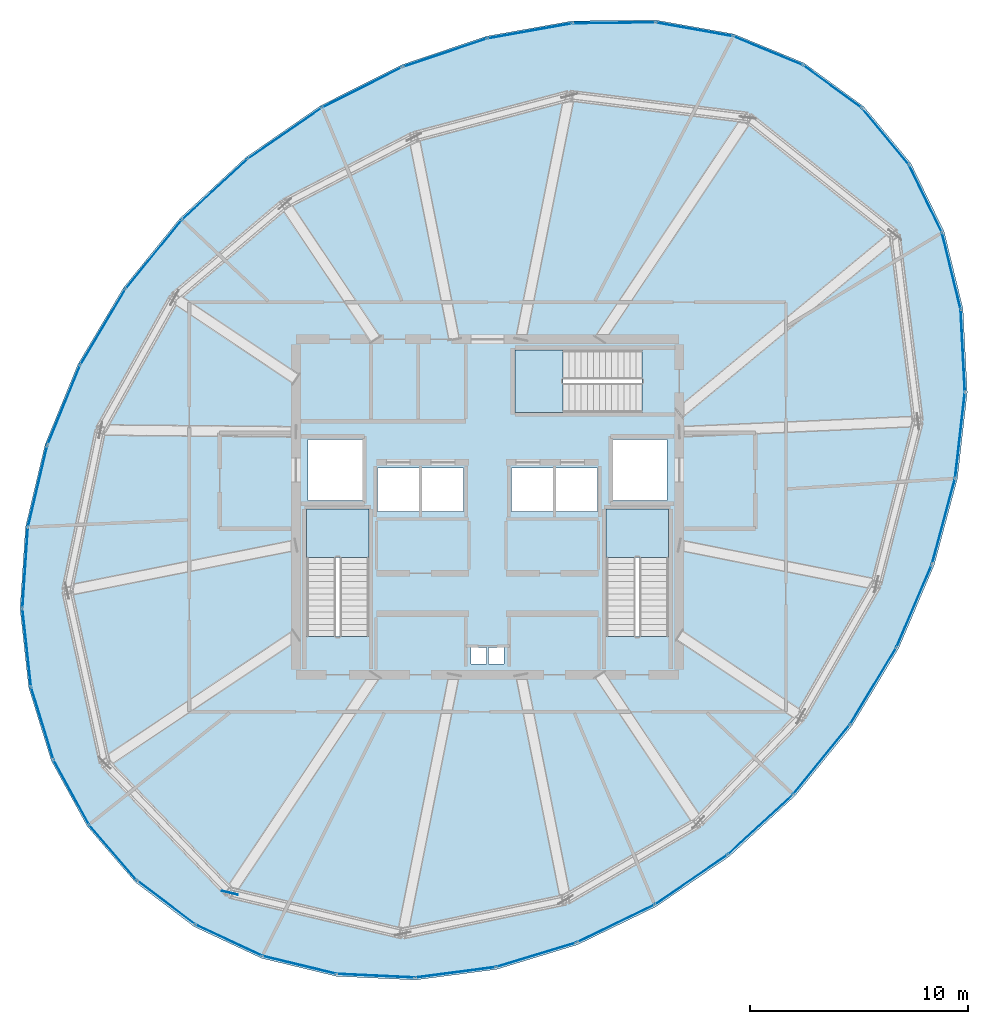
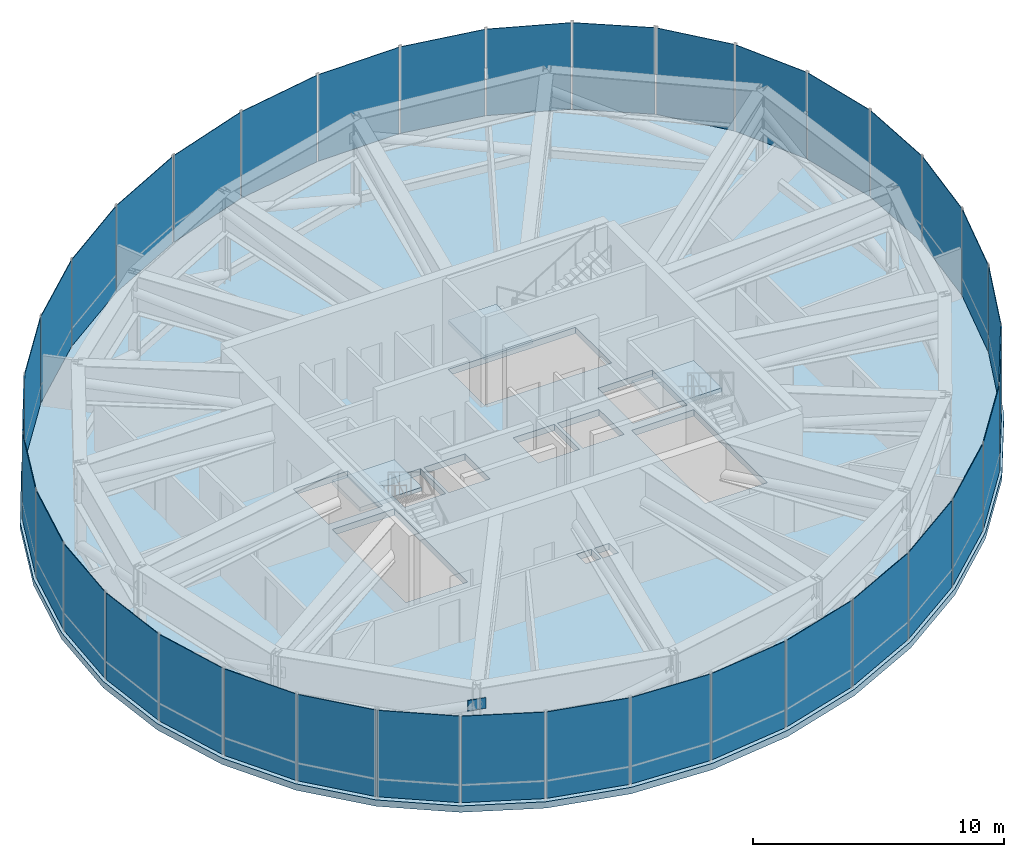
# One storey, part 22 of 26: 37 plates, 4 slabs, 9 elements without a shape of their own.
"""IFC4 building model written with IfcOpenShell, lengths in metres."""

from ifc_helpers import new_model, si_unit, direction, frame, origin, origin_2d, place, context, subcontext, project, spatial, polyline, rectangle, outline, extrude, source, transform, mapped, material, layer, layer_set, type_object, element, aggregate, save


model = new_model("IFC4")

# Units and contexts
model_context = context("Model", 3, precision=1e-05, world=origin(), true_north=direction((0.0, 1.0)))
body_context = subcontext(model_context, "Body", "Model", "MODEL_VIEW")
ifc_project = project(units=[si_unit("LENGTHUNIT", "METRE"), si_unit("AREAUNIT", "SQUARE_METRE"), si_unit("VOLUMEUNIT", "CUBIC_METRE"), si_unit("PLANEANGLEUNIT", "RADIAN"), si_unit("MASSUNIT", "GRAM", prefix="KILO"), si_unit("THERMODYNAMICTEMPERATUREUNIT", "KELVIN")], contexts=[model_context])

# Site, building, storey
site_placement = place(None, origin())
site = spatial("IfcSite", under=ifc_project, at=site_placement, CompositionType="ELEMENT")
building_placement = place(site_placement, origin())
building = spatial("IfcBuilding", under=site, at=building_placement, Name="Kethvar Cultural Tower", CompositionType="ELEMENT")
storey_placement = place(building_placement, frame((0.0, 0.0, 223.60009765625)))
storey = spatial("IfcBuildingStorey", under=building, at=storey_placement, Name="L58", CompositionType="ELEMENT", Elevation=223.60009765625)

# Slab
ifc_material_1 = material(Name="Concrete C50/60", Category="concrete")
ifc_layer_1 = layer(ifc_material_1, 0.31005859375, Name="Concrete C50/60", Category="concrete")
ifc_layer_set_1 = layer_set([ifc_layer_1], Name="Concrete C50/60 (310 mm)")
slab_type_1 = type_object("IfcSlabType", Name="SL-BELT-310", PredefinedType="FLOOR", material=ifc_layer_set_1)
slab_1_placement = place(storey_placement, frame((0.0, 0.0, -0.31005859375)))
element("IfcSlab", 1, at=slab_1_placement, inside=storey, type_object=slab_type_1, Name="L58 Structural Floor Slab", PredefinedType="FLOOR", context=body_context, shape_type="SweptSolid", body=[
    extrude(outline(polyline([(64.07080078125, 46.191650390625), (61.33203125, 48.188720703125), (58.10791015625, 49.520263671875), (54.512451171875, 50.161865234375), (50.677001953125, 50.117919921875), (46.7431640625, 49.41650390625), (42.852294921875, 48.1025390625), (39.13818359375, 46.231689453125), (35.71630859375, 43.86474609375), (32.67919921875, 41.060302734375), (30.084716796875, 37.867919921875), (27.998291015625, 34.369384765625), (26.483154296875, 30.671142578125), (25.585205078125, 26.8857421875), (25.33203125, 23.12841796875), (25.731201171875, 19.5126953125), (26.770263671875, 16.148681640625), (28.418212890625, 13.138916015625), (30.62451171875, 10.57470703125), (33.322265625, 8.53369140625), (36.429443359375, 7.078125), (39.851806640625, 6.252197265625), (43.485595703125, 6.0810546875), (47.2197265625, 6.56982421875), (50.941162109375, 7.70361328125), (54.536865234375, 9.447998046875), (57.8974609375, 11.75), (60.9208984375, 14.53955078125), (63.52880859375, 17.746826171875), (65.676513671875, 21.310546875), (67.310302734375, 25.135009765625), (68.37744140625, 29.1005859375), (68.83056640625, 33.07080078125), (68.63330078125, 36.9013671875), (67.767333984375, 40.449462890625), (66.236083984375, 43.58349609375), (64.07080078125, 46.191650390625)]), holes=[polyline([(38.489990234375, 21.85009765625), (38.489990234375, 27.699951171875), (41.35009765625, 27.699951171875), (41.35009765625, 21.85009765625), (38.489990234375, 21.85009765625)]), polyline([(52.25, 21.85009765625), (52.25, 27.699951171875), (55.110107421875, 27.699951171875), (55.110107421875, 21.85009765625), (52.25, 21.85009765625)]), polyline([(53.89990234375, 32.14990234375), (48.050048828125, 32.14990234375), (48.050048828125, 35.010009765625), (53.89990234375, 35.010009765625), (53.89990234375, 32.14990234375)]), polyline([(41.75, 29.60009765625), (43.64990234375, 29.60009765625), (43.64990234375, 27.60009765625), (41.75, 27.60009765625), (41.75, 29.60009765625)]), polyline([(43.800048828125, 29.60009765625), (45.699951171875, 29.60009765625), (45.699951171875, 27.60009765625), (43.800048828125, 27.60009765625), (43.800048828125, 29.60009765625)]), polyline([(47.89990234375, 29.60009765625), (49.800048828125, 29.60009765625), (49.800048828125, 27.60009765625), (47.89990234375, 27.60009765625), (47.89990234375, 29.60009765625)]), polyline([(49.949951171875, 29.60009765625), (51.85009765625, 29.60009765625), (51.85009765625, 27.60009765625), (49.949951171875, 27.60009765625), (49.949951171875, 29.60009765625)]), polyline([(38.550048828125, 30.89990234375), (41.050048828125, 30.89990234375), (41.050048828125, 28.10009765625), (38.550048828125, 28.10009765625), (38.550048828125, 30.89990234375)]), polyline([(52.550048828125, 30.89990234375), (55.050048828125, 30.89990234375), (55.050048828125, 28.10009765625), (52.550048828125, 28.10009765625), (52.550048828125, 30.89990234375)]), polyline([(46.050048828125, 21.35009765625), (46.75, 21.35009765625), (46.75, 20.60009765625), (46.050048828125, 20.60009765625), (46.050048828125, 21.35009765625)]), polyline([(46.85009765625, 21.35009765625), (47.550048828125, 21.35009765625), (47.550048828125, 20.60009765625), (46.85009765625, 20.60009765625), (46.85009765625, 21.35009765625)])]), origin(), (0.0, 0.0, 1.0), 0.31005859375),
])

# Stair, slab
ifc_material_2 = material(Name="Concrete C40/50", Category="concrete")
stair_type = type_object("IfcStairType", Name="ST-DOGLEG-135", PredefinedType="HALF_TURN_STAIR", material=ifc_material_2)
stair_1_placement = place(storey_placement, origin())
stair_1 = element("IfcStair", 2, at=stair_1_placement, inside=storey, type_object=stair_type, Name="L58 Core Exit Stair 1", PredefinedType="HALF_TURN_STAIR")
ifc_layer_2 = layer(ifc_material_2, 0.199951171875, Name="Concrete C40/50", Category="concrete")
ifc_layer_set_2 = layer_set([ifc_layer_2], Name="Concrete C40/50 (200 mm)")
slab_type_2 = type_object("IfcSlabType", Name="SL-STAIR-LANDING-200", PredefinedType="LANDING", material=ifc_layer_set_2)
slab_2_placement = place(storey_placement, frame((0.0, 0.0, 2.199951171875)))
slab_2 = element("IfcSlab", 3, at=slab_2_placement, type_object=slab_type_2, Name="ST-01 landing 1", PredefinedType="LANDING", context=body_context, shape_type="SweptSolid", body=[
    extrude(outline(polyline([(41.35009765625, 25.489990234375), (41.35009765625, 27.699951171875), (38.489990234375, 27.699951171875), (38.489990234375, 25.489990234375), (41.35009765625, 25.489990234375)])), origin(), (0.0, 0.0, 1.0), 0.199951171875),
])
aggregate(stair_1, [slab_2])

stair_2_placement = place(storey_placement, origin())
stair_2 = element("IfcStair", 4, at=stair_2_placement, inside=storey, type_object=stair_type, Name="L58 Core Exit Stair 2", PredefinedType="HALF_TURN_STAIR")
slab_3_placement = place(storey_placement, frame((0.0, 0.0, 2.199951171875)))
slab_3 = element("IfcSlab", 5, at=slab_3_placement, type_object=slab_type_2, Name="ST-02 landing 1", PredefinedType="LANDING", context=body_context, shape_type="SweptSolid", body=[
    extrude(outline(polyline([(55.110107421875, 25.489990234375), (55.110107421875, 27.699951171875), (52.25, 27.699951171875), (52.25, 25.489990234375), (55.110107421875, 25.489990234375)])), origin(), (0.0, 0.0, 1.0), 0.199951171875),
])
aggregate(stair_2, [slab_3])

stair_3_placement = place(storey_placement, origin())
stair_3 = element("IfcStair", 6, at=stair_3_placement, inside=storey, type_object=stair_type, Name="L58 Core Exit Stair 3", PredefinedType="HALF_TURN_STAIR")
slab_4_placement = place(storey_placement, frame((0.0, 0.0, 2.199951171875)))
slab_4 = element("IfcSlab", 7, at=slab_4_placement, type_object=slab_type_2, Name="ST-03 landing 1", PredefinedType="LANDING", context=body_context, shape_type="SweptSolid", body=[
    extrude(outline(polyline([(50.260009765625, 35.010009765625), (48.050048828125, 35.010009765625), (48.050048828125, 32.14990234375), (50.260009765625, 32.14990234375), (50.260009765625, 35.010009765625)])), origin(), (0.0, 0.0, 1.0), 0.199951171875),
])
aggregate(stair_3, [slab_4])

# Plate
ifc_material_3 = material(Name="Steel S355J2", Category="steel")
ifc_layer_3 = layer(ifc_material_3, 0.031982421875, Name="Steel S355J2", Category="steel")
ifc_layer_set_3 = layer_set([ifc_layer_3], Name="Steel S355J2 (32 mm)")
plate_type_1 = type_object("IfcPlateType", Name="PL-GUSSET-750", PredefinedType="USERDEFINED", material=ifc_layer_set_3)
shared_shape_1 = source(origin(), body_context, "Body", "SweptSolid", [
    extrude(rectangle(XDim=0.75, YDim=0.031982421875, at=origin_2d()), origin(), (0.0, 0.0, 1.0), 0.52001953125),
])
plate_1_placement = place(storey_placement, frame((34.962646484375, 10.084228515625, 3.16796875), z_axis=(0.0, 0.0, 1.0), x_axis=(0.973281007528, -0.229617247578, 0.0)))
element("IfcPlate", 8, at=plate_1_placement, inside=storey, type_object=plate_type_1, Name="L58 Belt-Truss Node Gusset Plate GP-11", ObjectType="GUSSET_PLATE", PredefinedType="USERDEFINED", context=body_context, shape_type="MappedRepresentation", body=[
    mapped(shared_shape_1, transform((0.0, 0.0, 0.0), scale=1.0)),
])

# Curtain wall, plates
ifc_material_4 = material(Name="Aluminium 6063-T6", Category="aluminium")
ifc_layer_4 = layer(ifc_material_4, 0.179931640625, Name="Aluminium 6063-T6", Category="aluminium")
ifc_layer_set_4 = layer_set([ifc_layer_4], Name="Aluminium 6063-T6 (180 mm)")
curtain_wall_type = type_object("IfcCurtainWallType", Name="CW-SYS-04-Z34", PredefinedType="NOTDEFINED", material=ifc_layer_set_4)
curtain_wall_1_placement = place(storey_placement, origin())
curtain_wall_1 = element("IfcCurtainWall", 9, at=curtain_wall_1_placement, inside=storey, type_object=curtain_wall_type, Name="L58 Curtain Wall Run 01", PredefinedType="NOTDEFINED")
ifc_material_5 = material(Name="Insulated Low-E Solar Glass", Category="glass")
ifc_layer_5 = layer(ifc_material_5, 0.030029296875, Name="Insulated Low-E Solar Glass", Category="glass")
ifc_layer_set_5 = layer_set([ifc_layer_5], Name="Insulated Low-E Solar Glass (30 mm)")
plate_type_2 = type_object("IfcPlateType", Name="CW-SYS-04-Z34-PNL", PredefinedType="CURTAIN_PANEL", material=ifc_layer_set_5)
shared_shape_2 = source(origin(), body_context, "Body", "SweptSolid", [
    extrude(rectangle(XDim=3.303466796875, YDim=0.030029296875, at=origin_2d()), origin(), (0.0, 0.0, 1.0), 4.199951171875),
])
plate_2_placement = place(storey_placement, frame((62.63671875, 47.101318359375, 0.08984375), z_axis=(0.0, 0.0, 1.0), x_axis=(-0.808000167191, 0.58918225518, 0.0)))
plate_2 = element("IfcPlate", 10, at=plate_2_placement, type_object=plate_type_2, Name="CW-L58-R01 Vision Glazing Panel 1", PredefinedType="CURTAIN_PANEL", context=body_context, shape_type="MappedRepresentation", body=[
    mapped(shared_shape_2, transform((0.0, 0.0, 0.0), scale=1.0)),
])
shared_shape_3 = source(origin(), body_context, "Body", "SweptSolid", [
    extrude(rectangle(XDim=3.401611328125, YDim=0.030029296875, at=origin_2d()), origin(), (0.0, 0.0, 1.0), 4.199951171875),
])
plate_3_placement = place(storey_placement, frame((59.677978515625, 48.752685546875, 0.08984375), z_axis=(0.0, 0.0, 1.0), x_axis=(-0.924286433073, 0.381699606545, 0.0)))
plate_3 = element("IfcPlate", 11, at=plate_3_placement, type_object=plate_type_2, Name="CW-L58-R01 Vision Glazing Panel 2", PredefinedType="CURTAIN_PANEL", context=body_context, shape_type="MappedRepresentation", body=[
    mapped(shared_shape_3, transform((0.0, 0.0, 0.0), scale=1.0)),
])

# Curtain wall, plate
curtain_wall_2_placement = place(storey_placement, origin())
curtain_wall_2 = element("IfcCurtainWall", 12, at=curtain_wall_2_placement, inside=storey, type_object=curtain_wall_type, Name="L58 Curtain Wall Run 06", PredefinedType="NOTDEFINED")
plate_4_placement = place(storey_placement, frame((66.90283203125, 41.96826171875, 0.08984375), z_axis=(0.0, 0.0, 1.0), x_axis=(-0.438982834889, 0.898495448332, 0.0)))
plate_4 = element("IfcPlate", 13, at=plate_4_placement, type_object=plate_type_2, Name="CW-L58-R06 Vision Glazing Panel 5", PredefinedType="CURTAIN_PANEL", context=body_context, shape_type="MappedRepresentation", body=[
    mapped(shared_shape_3, transform((0.0, 0.0, 0.0), scale=1.0)),
])

# Plate
shared_shape_4 = source(origin(), body_context, "Body", "SweptSolid", [
    extrude(rectangle(XDim=3.56591796875, YDim=0.030029296875, at=origin_2d()), origin(), (0.0, 0.0, 1.0), 4.199951171875),
])
plate_5_placement = place(storey_placement, frame((56.291015625, 49.732666015625, 0.08984375), z_axis=(0.0, 0.0, 1.0), x_axis=(-0.98444803831, 0.175676008229, 0.0)))
plate_5 = element("IfcPlate", 14, at=plate_5_placement, type_object=plate_type_2, Name="CW-L58-R01 Vision Glazing Panel 3", PredefinedType="CURTAIN_PANEL", context=body_context, shape_type="MappedRepresentation", body=[
    mapped(shared_shape_4, transform((0.0, 0.0, 0.0), scale=1.0)),
])

plate_6_placement = place(storey_placement, frame((68.093505859375, 38.6494140625, 0.08984375), z_axis=(0.0, 0.0, 1.0), x_axis=(-0.237143355531, 0.971474667157, 0.0)))
plate_6 = element("IfcPlate", 15, at=plate_6_placement, type_object=plate_type_2, Name="CW-L58-R06 Vision Glazing Panel 4", PredefinedType="CURTAIN_PANEL", context=body_context, shape_type="MappedRepresentation", body=[
    mapped(shared_shape_4, transform((0.0, 0.0, 0.0), scale=1.0)),
])

shared_shape_5 = source(origin(), body_context, "Body", "SweptSolid", [
    extrude(rectangle(XDim=3.749267578125, YDim=0.030029296875, at=origin_2d()), origin(), (0.0, 0.0, 1.0), 4.199951171875),
])
plate_7_placement = place(storey_placement, frame((52.59619140625, 50.02978515625, 0.08984375), z_axis=(0.0, 0.0, 1.0), x_axis=(-0.999934855835, -0.011414205445, 0.0)))
plate_7 = element("IfcPlate", 16, at=plate_7_placement, type_object=plate_type_2, Name="CW-L58-R01 Vision Glazing Panel 4", PredefinedType="CURTAIN_PANEL", context=body_context, shape_type="MappedRepresentation", body=[
    mapped(shared_shape_5, transform((0.0, 0.0, 0.0), scale=1.0)),
])

plate_8_placement = place(storey_placement, frame((68.6220703125, 34.98046875, 0.08984375), z_axis=(0.0, 0.0, 1.0), x_axis=(-0.051394746975, 0.9986784167, 0.0)))
plate_8 = element("IfcPlate", 17, at=plate_8_placement, type_object=plate_type_2, Name="CW-L58-R06 Vision Glazing Panel 3", PredefinedType="CURTAIN_PANEL", context=body_context, shape_type="MappedRepresentation", body=[
    mapped(shared_shape_5, transform((0.0, 0.0, 0.0), scale=1.0)),
])

shared_shape_6 = source(origin(), body_context, "Body", "SweptSolid", [
    extrude(rectangle(XDim=3.90966796875, YDim=0.030029296875, at=origin_2d()), origin(), (0.0, 0.0, 1.0), 4.199951171875),
])
plate_9_placement = place(storey_placement, frame((48.7294921875, 49.658935546875, 0.08984375), z_axis=(0.0, 0.0, 1.0), x_axis=(-0.984475621288, -0.175521369326, 0.0)))
plate_9 = element("IfcPlate", 18, at=plate_9_placement, type_object=plate_type_2, Name="CW-L58-R01 Vision Glazing Panel 5", PredefinedType="CURTAIN_PANEL", context=body_context, shape_type="MappedRepresentation", body=[
    mapped(shared_shape_6, transform((0.0, 0.0, 0.0), scale=1.0)),
])

plate_10_placement = place(storey_placement, frame((68.49462890625, 31.09814453125, 0.08984375), z_axis=(0.0, 0.0, 1.0), x_axis=(0.113359282273, 0.9935540615, 0.0)))
plate_10 = element("IfcPlate", 19, at=plate_10_placement, type_object=plate_type_2, Name="CW-L58-R06 Vision Glazing Panel 2", PredefinedType="CURTAIN_PANEL", context=body_context, shape_type="MappedRepresentation", body=[
    mapped(shared_shape_6, transform((0.0, 0.0, 0.0), scale=1.0)),
])

shared_shape_7 = source(origin(), body_context, "Body", "SweptSolid", [
    extrude(rectangle(XDim=4.020263671875, YDim=0.030029296875, at=origin_2d()), origin(), (0.0, 0.0, 1.0), 4.199951171875),
])
plate_11_placement = place(storey_placement, frame((44.8330078125, 48.655517578125, 0.08984375), z_axis=(0.0, 0.0, 1.0), x_axis=(-0.947428292637, -0.319968170778, 0.0)))
plate_11 = element("IfcPlate", 20, at=plate_11_placement, type_object=plate_type_2, Name="CW-L58-R01 Vision Glazing Panel 6", PredefinedType="CURTAIN_PANEL", context=body_context, shape_type="MappedRepresentation", body=[
    mapped(shared_shape_7, transform((0.0, 0.0, 0.0), scale=1.0)),
])

aggregate(curtain_wall_1, [plate_2, plate_3, plate_5, plate_7, plate_9, plate_11])

plate_12_placement = place(storey_placement, frame((67.73779296875, 27.146240234375, 0.08984375), z_axis=(0.0, 0.0, 1.0), x_axis=(0.259847271971, 0.965649726997, 0.0)))
plate_12 = element("IfcPlate", 21, at=plate_12_placement, type_object=plate_type_2, Name="CW-L58-R06 Vision Glazing Panel 1", PredefinedType="CURTAIN_PANEL", context=body_context, shape_type="MappedRepresentation", body=[
    mapped(shared_shape_7, transform((0.0, 0.0, 0.0), scale=1.0)),
])

# Curtain wall, plate
curtain_wall_3_placement = place(storey_placement, origin())
curtain_wall_3 = element("IfcCurtainWall", 22, at=curtain_wall_3_placement, inside=storey, type_object=curtain_wall_type, Name="L58 Curtain Wall Run 02", PredefinedType="NOTDEFINED")
shared_shape_8 = source(origin(), body_context, "Body", "SweptSolid", [
    extrude(rectangle(XDim=4.072509765625, YDim=0.030029296875, at=origin_2d()), origin(), (0.0, 0.0, 1.0), 4.199951171875),
])
plate_13_placement = place(storey_placement, frame((41.044921875, 47.069091796875, 0.08984375), z_axis=(0.0, 0.0, 1.0), x_axis=(-0.893112450999, -0.449833469043, 0.0)))
plate_13 = element("IfcPlate", 23, at=plate_13_placement, type_object=plate_type_2, Name="CW-L58-R02 Vision Glazing Panel 1", PredefinedType="CURTAIN_PANEL", context=body_context, shape_type="MappedRepresentation", body=[
    mapped(shared_shape_8, transform((0.0, 0.0, 0.0), scale=1.0)),
])

curtain_wall_4_placement = place(storey_placement, origin())
curtain_wall_4 = element("IfcCurtainWall", 24, at=curtain_wall_4_placement, inside=storey, type_object=curtain_wall_type, Name="L58 Curtain Wall Run 05", PredefinedType="NOTDEFINED")
plate_14_placement = place(storey_placement, frame((66.392333984375, 23.26611328125, 0.08984375), z_axis=(0.0, 0.0, 1.0), x_axis=(0.392850780623, 0.919602231491, 0.0)))
plate_14 = element("IfcPlate", 25, at=plate_14_placement, type_object=plate_type_2, Name="CW-L58-R05 Vision Glazing Panel 6", PredefinedType="CURTAIN_PANEL", context=body_context, shape_type="MappedRepresentation", body=[
    mapped(shared_shape_8, transform((0.0, 0.0, 0.0), scale=1.0)),
])

# Plate
shared_shape_9 = source(origin(), body_context, "Body", "SweptSolid", [
    extrude(rectangle(XDim=4.074462890625, YDim=0.030029296875, at=origin_2d()), origin(), (0.0, 0.0, 1.0), 4.199951171875),
])
plate_15_placement = place(storey_placement, frame((37.48974609375, 44.957763671875, 0.08984375), z_axis=(0.0, 0.0, 1.0), x_axis=(-0.822402287227, -0.568906387699, 0.0)))
plate_15 = element("IfcPlate", 26, at=plate_15_placement, type_object=plate_type_2, Name="CW-L58-R02 Vision Glazing Panel 2", PredefinedType="CURTAIN_PANEL", context=body_context, shape_type="MappedRepresentation", body=[
    mapped(shared_shape_9, transform((0.0, 0.0, 0.0), scale=1.0)),
])

plate_16_placement = place(storey_placement, frame((64.508544921875, 19.58544921875, 0.08984375), z_axis=(0.0, 0.0, 1.0), x_axis=(0.516174611244, 0.856483374449, 0.0)))
plate_16 = element("IfcPlate", 27, at=plate_16_placement, type_object=plate_type_2, Name="CW-L58-R05 Vision Glazing Panel 5", PredefinedType="CURTAIN_PANEL", context=body_context, shape_type="MappedRepresentation", body=[
    mapped(shared_shape_9, transform((0.0, 0.0, 0.0), scale=1.0)),
])

shared_shape_10 = source(origin(), body_context, "Body", "SweptSolid", [
    extrude(rectangle(XDim=4.04736328125, YDim=0.030029296875, at=origin_2d()), origin(), (0.0, 0.0, 1.0), 4.199951171875),
])
plate_17_placement = place(storey_placement, frame((34.2724609375, 42.381591796875, 0.08984375), z_axis=(0.0, 0.0, 1.0), x_axis=(-0.734701508743, -0.678390516628, 0.0)))
plate_17 = element("IfcPlate", 28, at=plate_17_placement, type_object=plate_type_2, Name="CW-L58-R02 Vision Glazing Panel 3", PredefinedType="CURTAIN_PANEL", context=body_context, shape_type="MappedRepresentation", body=[
    mapped(shared_shape_10, transform((0.0, 0.0, 0.0), scale=1.0)),
])

shared_shape_11 = source(origin(), body_context, "Body", "SweptSolid", [
    extrude(rectangle(XDim=4.02734375, YDim=0.030029296875, at=origin_2d()), origin(), (0.0, 0.0, 1.0), 4.199951171875),
])
plate_18_placement = place(storey_placement, frame((31.46728515625, 39.394775390625, 0.08984375), z_axis=(0.0, 0.0, 1.0), x_axis=(-0.630648717917, -0.776068421332, 0.0)))
plate_18 = element("IfcPlate", 29, at=plate_18_placement, type_object=plate_type_2, Name="CW-L58-R02 Vision Glazing Panel 4", PredefinedType="CURTAIN_PANEL", context=body_context, shape_type="MappedRepresentation", body=[
    mapped(shared_shape_11, transform((0.0, 0.0, 0.0), scale=1.0)),
])

plate_19_placement = place(storey_placement, frame((59.334716796875, 13.2255859375, 0.08984375), z_axis=(0.0, 0.0, 1.0), x_axis=(0.73493826694, 0.678134016096, 0.0)))
plate_19 = element("IfcPlate", 30, at=plate_19_placement, type_object=plate_type_2, Name="CW-L58-R05 Vision Glazing Panel 3", PredefinedType="CURTAIN_PANEL", context=body_context, shape_type="MappedRepresentation", body=[
    mapped(shared_shape_11, transform((0.0, 0.0, 0.0), scale=1.0)),
])

shared_shape_12 = source(origin(), body_context, "Body", "SweptSolid", [
    extrude(rectangle(XDim=3.987060546875, YDim=0.030029296875, at=origin_2d()), origin(), (0.0, 0.0, 1.0), 4.199951171875),
])
plate_20_placement = place(storey_placement, frame((29.135986328125, 36.062255859375, 0.08984375), z_axis=(0.0, 0.0, 1.0), x_axis=(-0.512207763895, -0.858861575928, 0.0)))
plate_20 = element("IfcPlate", 31, at=plate_20_placement, type_object=plate_type_2, Name="CW-L58-R02 Vision Glazing Panel 5", PredefinedType="CURTAIN_PANEL", context=body_context, shape_type="MappedRepresentation", body=[
    mapped(shared_shape_12, transform((0.0, 0.0, 0.0), scale=1.0)),
])

plate_21_placement = place(storey_placement, frame((56.155029296875, 10.689697265625, 0.08984375), z_axis=(0.0, 0.0, 1.0), x_axis=(0.82499515377, 0.5651398024, 0.0)))
plate_21 = element("IfcPlate", 32, at=plate_21_placement, type_object=plate_type_2, Name="CW-L58-R05 Vision Glazing Panel 2", PredefinedType="CURTAIN_PANEL", context=body_context, shape_type="MappedRepresentation", body=[
    mapped(shared_shape_12, transform((0.0, 0.0, 0.0), scale=1.0)),
])

shared_shape_13 = source(origin(), body_context, "Body", "SweptSolid", [
    extrude(rectangle(XDim=3.909912109375, YDim=0.030029296875, at=origin_2d()), origin(), (0.0, 0.0, 1.0), 4.199951171875),
])
plate_22_placement = place(storey_placement, frame((27.342529296875, 32.478515625, 0.08984375), z_axis=(0.0, 0.0, 1.0), x_axis=(-0.379133177301, -0.925342117203, 0.0)))
plate_22 = element("IfcPlate", 33, at=plate_22_placement, type_object=plate_type_2, Name="CW-L58-R02 Vision Glazing Panel 6", PredefinedType="CURTAIN_PANEL", context=body_context, shape_type="MappedRepresentation", body=[
    mapped(shared_shape_13, transform((0.0, 0.0, 0.0), scale=1.0)),
])

aggregate(curtain_wall_3, [plate_13, plate_15, plate_17, plate_18, plate_20, plate_22])

plate_23_placement = place(storey_placement, frame((52.691162109375, 8.6748046875, 0.08984375), z_axis=(0.0, 0.0, 1.0), x_axis=(0.899725432484, 0.436456350785, 0.0)))
plate_23 = element("IfcPlate", 34, at=plate_23_placement, type_object=plate_type_2, Name="CW-L58-R05 Vision Glazing Panel 1", PredefinedType="CURTAIN_PANEL", context=body_context, shape_type="MappedRepresentation", body=[
    mapped(shared_shape_13, transform((0.0, 0.0, 0.0), scale=1.0)),
])

# Curtain wall, plates
curtain_wall_5_placement = place(storey_placement, origin())
curtain_wall_5 = element("IfcCurtainWall", 35, at=curtain_wall_5_placement, inside=storey, type_object=curtain_wall_type, Name="L58 Curtain Wall Run 03", PredefinedType="NOTDEFINED")
shared_shape_14 = source(origin(), body_context, "Body", "SweptSolid", [
    extrude(rectangle(XDim=3.80419921875, YDim=0.030029296875, at=origin_2d()), origin(), (0.0, 0.0, 1.0), 4.199951171875),
])
plate_24_placement = place(storey_placement, frame((26.141357421875, 28.753173828125, 0.08984375), z_axis=(0.0, 0.0, 1.0), x_axis=(-0.230797017004, -0.973001920318, 0.0)))
plate_24 = element("IfcPlate", 36, at=plate_24_placement, type_object=plate_type_2, Name="CW-L58-R03 Vision Glazing Panel 1", PredefinedType="CURTAIN_PANEL", context=body_context, shape_type="MappedRepresentation", body=[
    mapped(shared_shape_14, transform((0.0, 0.0, 0.0), scale=1.0)),
])
shared_shape_15 = source(origin(), body_context, "Body", "SweptSolid", [
    extrude(rectangle(XDim=3.6796875, YDim=0.030029296875, at=origin_2d()), origin(), (0.0, 0.0, 1.0), 4.199951171875),
])
plate_25_placement = place(storey_placement, frame((25.568359375, 24.999755859375, 0.08984375), z_axis=(0.0, 0.0, 1.0), x_axis=(-0.067231690368, -0.997737390204, 0.0)))
plate_25 = element("IfcPlate", 37, at=plate_25_placement, type_object=plate_type_2, Name="CW-L58-R03 Vision Glazing Panel 2", PredefinedType="CURTAIN_PANEL", context=body_context, shape_type="MappedRepresentation", body=[
    mapped(shared_shape_15, transform((0.0, 0.0, 0.0), scale=1.0)),
])

# Curtain wall, plate
curtain_wall_6_placement = place(storey_placement, origin())
curtain_wall_6 = element("IfcCurtainWall", 38, at=curtain_wall_6_placement, inside=storey, type_object=curtain_wall_type, Name="L58 Curtain Wall Run 04", PredefinedType="NOTDEFINED")
plate_26_placement = place(storey_placement, frame((45.33837890625, 6.4345703125, 0.08984375), z_axis=(0.0, 0.0, 1.0), x_axis=(0.991544805937, 0.129764778811, 0.0)))
plate_26 = element("IfcPlate", 39, at=plate_26_placement, type_object=plate_type_2, Name="CW-L58-R04 Vision Glazing Panel 5", PredefinedType="CURTAIN_PANEL", context=body_context, shape_type="MappedRepresentation", body=[
    mapped(shared_shape_15, transform((0.0, 0.0, 0.0), scale=1.0)),
])

# Plate
shared_shape_16 = source(origin(), body_context, "Body", "SweptSolid", [
    extrude(rectangle(XDim=3.551025390625, YDim=0.030029296875, at=origin_2d()), origin(), (0.0, 0.0, 1.0), 4.199951171875),
])
plate_27_placement = place(storey_placement, frame((25.64111328125, 21.33251953125, 0.08984375), z_axis=(0.0, 0.0, 1.0), x_axis=(0.109682267267, -0.993966699768, 0.0)))
plate_27 = element("IfcPlate", 40, at=plate_27_placement, type_object=plate_type_2, Name="CW-L58-R03 Vision Glazing Panel 3", PredefinedType="CURTAIN_PANEL", context=body_context, shape_type="MappedRepresentation", body=[
    mapped(shared_shape_16, transform((0.0, 0.0, 0.0), scale=1.0)),
])

shared_shape_17 = source(origin(), body_context, "Body", "SweptSolid", [
    extrude(rectangle(XDim=3.434326171875, YDim=0.030029296875, at=origin_2d()), origin(), (0.0, 0.0, 1.0), 4.199951171875),
])
plate_28_placement = place(storey_placement, frame((26.355712890625, 17.86328125, 0.08984375), z_axis=(0.0, 0.0, 1.0), x_axis=(0.295157800188, -0.955448519277, 0.0)))
plate_28 = element("IfcPlate", 41, at=plate_28_placement, type_object=plate_type_2, Name="CW-L58-R03 Vision Glazing Panel 4", PredefinedType="CURTAIN_PANEL", context=body_context, shape_type="MappedRepresentation", body=[
    mapped(shared_shape_17, transform((0.0, 0.0, 0.0), scale=1.0)),
])

shared_shape_18 = source(origin(), body_context, "Body", "SweptSolid", [
    extrude(rectangle(XDim=3.344970703125, YDim=0.030029296875, at=origin_2d()), origin(), (0.0, 0.0, 1.0), 4.199951171875),
])
plate_29_placement = place(storey_placement, frame((27.690673828125, 14.69677734375, 0.08984375), z_axis=(0.0, 0.0, 1.0), x_axis=(0.480223497443, -0.877146163706, 0.0)))
plate_29 = element("IfcPlate", 42, at=plate_29_placement, type_object=plate_type_2, Name="CW-L58-R03 Vision Glazing Panel 5", PredefinedType="CURTAIN_PANEL", context=body_context, shape_type="MappedRepresentation", body=[
    mapped(shared_shape_18, transform((0.0, 0.0, 0.0), scale=1.0)),
])

plate_30_placement = place(storey_placement, frame((34.922607421875, 7.905517578125, 0.08984375), z_axis=(0.0, 0.0, 1.0), x_axis=(0.905561395197, -0.424215227838, 0.0)))
plate_30 = element("IfcPlate", 43, at=plate_30_placement, type_object=plate_type_2, Name="CW-L58-R04 Vision Glazing Panel 2", PredefinedType="CURTAIN_PANEL", context=body_context, shape_type="MappedRepresentation", body=[
    mapped(shared_shape_18, transform((0.0, 0.0, 0.0), scale=1.0)),
])

shared_shape_19 = source(origin(), body_context, "Body", "SweptSolid", [
    extrude(rectangle(XDim=3.29638671875, YDim=0.030029296875, at=origin_2d()), origin(), (0.0, 0.0, 1.0), 4.199951171875),
])
plate_31_placement = place(storey_placement, frame((29.6044921875, 11.9287109375, 0.08984375), z_axis=(0.0, 0.0, 1.0), x_axis=(0.652204252996, -0.758043278694, 0.0)))
plate_31 = element("IfcPlate", 44, at=plate_31_placement, type_object=plate_type_2, Name="CW-L58-R03 Vision Glazing Panel 6", PredefinedType="CURTAIN_PANEL", context=body_context, shape_type="MappedRepresentation", body=[
    mapped(shared_shape_19, transform((0.0, 0.0, 0.0), scale=1.0)),
])

aggregate(curtain_wall_5, [plate_24, plate_25, plate_27, plate_28, plate_29, plate_31])

plate_32_placement = place(storey_placement, frame((32.039794921875, 9.64208984375, 0.08984375), z_axis=(0.0, 0.0, 1.0), x_axis=(0.797499697327, -0.60331934559, 0.0)))
plate_32 = element("IfcPlate", 45, at=plate_32_placement, type_object=plate_type_2, Name="CW-L58-R04 Vision Glazing Panel 1", PredefinedType="CURTAIN_PANEL", context=body_context, shape_type="MappedRepresentation", body=[
    mapped(shared_shape_19, transform((0.0, 0.0, 0.0), scale=1.0)),
])

shared_shape_20 = source(origin(), body_context, "Body", "SweptSolid", [
    extrude(rectangle(XDim=3.43408203125, YDim=0.030029296875, at=origin_2d()), origin(), (0.0, 0.0, 1.0), 4.199951171875),
])
plate_33_placement = place(storey_placement, frame((38.16650390625, 6.772216796875, 0.08984375), z_axis=(0.0, 0.0, 1.0), x_axis=(0.972096271492, -0.234582264783, 0.0)))
plate_33 = element("IfcPlate", 46, at=plate_33_placement, type_object=plate_type_2, Name="CW-L58-R04 Vision Glazing Panel 3", PredefinedType="CURTAIN_PANEL", context=body_context, shape_type="MappedRepresentation", body=[
    mapped(shared_shape_20, transform((0.0, 0.0, 0.0), scale=1.0)),
])

shared_shape_21 = source(origin(), body_context, "Body", "SweptSolid", [
    extrude(rectangle(XDim=3.55126953125, YDim=0.030029296875, at=origin_2d()), origin(), (0.0, 0.0, 1.0), 4.199951171875),
])
plate_34_placement = place(storey_placement, frame((41.673828125, 6.276611328125, 0.08984375), z_axis=(0.0, 0.0, 1.0), x_axis=(0.998891518679, -0.047071582847, 0.0)))
plate_34 = element("IfcPlate", 47, at=plate_34_placement, type_object=plate_type_2, Name="CW-L58-R04 Vision Glazing Panel 4", PredefinedType="CURTAIN_PANEL", context=body_context, shape_type="MappedRepresentation", body=[
    mapped(shared_shape_21, transform((0.0, 0.0, 0.0), scale=1.0)),
])

shared_shape_22 = source(origin(), body_context, "Body", "SweptSolid", [
    extrude(rectangle(XDim=3.803955078125, YDim=0.030029296875, at=origin_2d()), origin(), (0.0, 0.0, 1.0), 4.199951171875),
])
plate_35_placement = place(storey_placement, frame((49.04833984375, 7.241943359375, 0.08984375), z_axis=(0.0, 0.0, 1.0), x_axis=(0.956590058686, 0.291436887891, 0.0)))
plate_35 = element("IfcPlate", 48, at=plate_35_placement, type_object=plate_type_2, Name="CW-L58-R04 Vision Glazing Panel 6", PredefinedType="CURTAIN_PANEL", context=body_context, shape_type="MappedRepresentation", body=[
    mapped(shared_shape_22, transform((0.0, 0.0, 0.0), scale=1.0)),
])

aggregate(curtain_wall_6, [plate_32, plate_30, plate_33, plate_34, plate_26, plate_35])

shared_shape_23 = source(origin(), body_context, "Body", "SweptSolid", [
    extrude(rectangle(XDim=4.047607421875, YDim=0.030029296875, at=origin_2d()), origin(), (0.0, 0.0, 1.0), 4.199951171875),
])
plate_36_placement = place(storey_placement, frame((62.139404296875, 16.212646484375, 0.08984375), z_axis=(0.0, 0.0, 1.0), x_axis=(0.630906037271, 0.775859247631, 0.0)))
plate_36 = element("IfcPlate", 49, at=plate_36_placement, type_object=plate_type_2, Name="CW-L58-R05 Vision Glazing Panel 4", PredefinedType="CURTAIN_PANEL", context=body_context, shape_type="MappedRepresentation", body=[
    mapped(shared_shape_23, transform((0.0, 0.0, 0.0), scale=1.0)),
])

aggregate(curtain_wall_4, [plate_23, plate_21, plate_19, plate_36, plate_16, plate_14])

shared_shape_24 = source(origin(), body_context, "Body", "SweptSolid", [
    extrude(rectangle(XDim=3.30322265625, YDim=0.030029296875, at=origin_2d()), origin(), (0.0, 0.0, 1.0), 4.199951171875),
])
plate_37_placement = place(storey_placement, frame((65.06884765625, 44.8173828125, 0.08984375), z_axis=(0.0, 0.0, 1.0), x_axis=(-0.638754388863, 0.769410703531, 0.0)))
plate_37 = element("IfcPlate", 50, at=plate_37_placement, type_object=plate_type_2, Name="CW-L58-R06 Vision Glazing Panel 6", PredefinedType="CURTAIN_PANEL", context=body_context, shape_type="MappedRepresentation", body=[
    mapped(shared_shape_24, transform((0.0, 0.0, 0.0), scale=1.0)),
])

aggregate(curtain_wall_2, [plate_12, plate_10, plate_8, plate_6, plate_4, plate_37])

save(model, "model.ifc")
